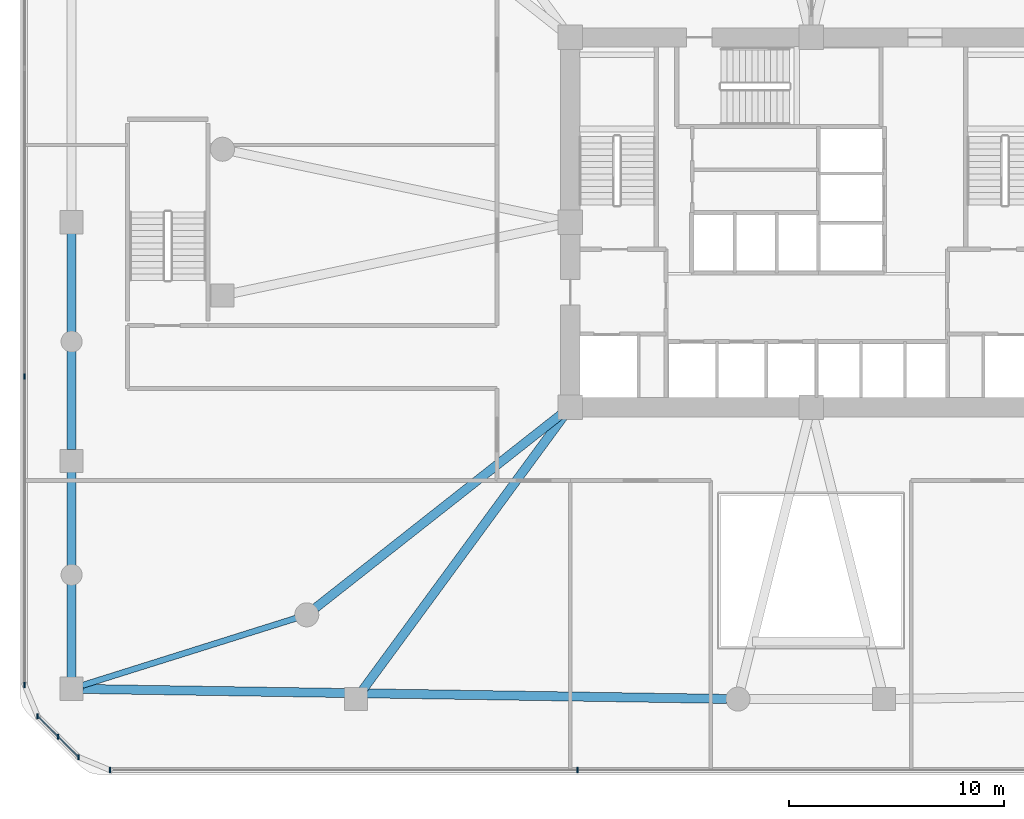
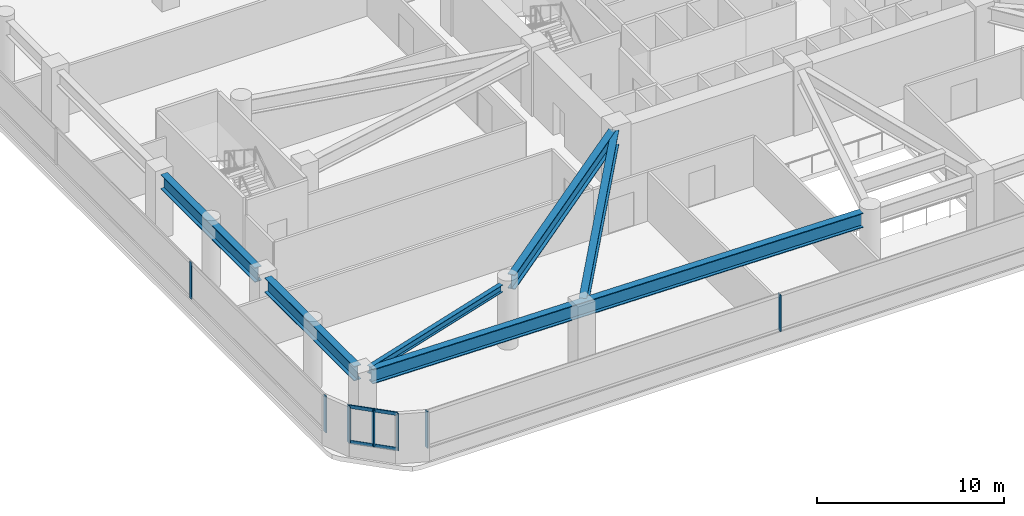
# One storey, part 2 of 21: 9 members, 6 beams, 3 elements without a shape of their own.
"""IFC4 building model written with IfcOpenShell, lengths in metres."""

from ifc_helpers import new_model, si_unit, derived_unit, direction, frame, origin, origin_2d, place, context, subcontext, project, spatial, rectangle, i_section, extrude, material, material_profile, profile_set, type_object, element, aggregate, save


model = new_model("IFC4")

# Units and contexts
model_context = context("Model", 3, precision=1e-05, world=origin(), true_north=direction((0.0, 1.0)))
body_context = subcontext(model_context, "Body", "Model", "MODEL_VIEW")
ifc_project = project(units=[si_unit("LENGTHUNIT", "METRE"), si_unit("AREAUNIT", "SQUARE_METRE"), si_unit("VOLUMEUNIT", "CUBIC_METRE"), si_unit("PLANEANGLEUNIT", "RADIAN"), si_unit("MASSUNIT", "GRAM", prefix="KILO"), derived_unit("THERMALTRANSMITTANCEUNIT", [(si_unit("POWERUNIT", "WATT"), 1), (si_unit("LENGTHUNIT", "METRE"), -2), (si_unit("THERMODYNAMICTEMPERATUREUNIT", "KELVIN"), -1)])], contexts=[model_context])

# Site, building, storey
site_placement = place(None, origin())
site = spatial("IfcSite", under=ifc_project, at=site_placement, CompositionType="ELEMENT")
building_placement = place(site_placement, origin())
building = spatial("IfcBuilding", under=site, at=building_placement, Name="Koralith Skygarden Medical Center", CompositionType="ELEMENT")
storey_placement = place(building_placement, frame((0.0, 0.0, 5.39990234375)))
storey = spatial("IfcBuildingStorey", under=building, at=storey_placement, Name="L01", CompositionType="ELEMENT", Elevation=5.39990234375)

# Curtain wall, members
ifc_material_1 = material(Name="Clear Laminated Glass", Category="glass")
curtain_wall_type = type_object("IfcCurtainWallType", Name="CW-1 Transit & Podium Acoustic Curtain Wall", PredefinedType="NOTDEFINED", material=ifc_material_1)
curtain_wall_1_placement = place(storey_placement, origin())
curtain_wall_1 = element("IfcCurtainWall", 1, at=curtain_wall_1_placement, inside=storey, type_object=curtain_wall_type, Name="Curtain Wall CW-L01-S", PredefinedType="NOTDEFINED")
ifc_material_2 = material(Name="Aluminium 6063-T6", Category="aluminium")
ifc_material_profile_1 = material_profile(ifc_material_2, rectangle(XDim=0.068115234375, YDim=0.239990234375, at=origin_2d()), Name="MUL68X240")
ifc_profile_set_1 = profile_set([ifc_material_profile_1], Name="Aluminium 6063-T6")
member_type_1 = type_object("IfcMemberType", Name="CW-1 Extruded Mullion 68x240", PredefinedType="MULLION", material=ifc_profile_set_1)
member_1_placement = place(storey_placement, frame((4.37890625, 0.419921875, 0.85009765625), z_axis=(0.0, 0.0, 1.0), x_axis=(1.0, 0.0, 0.0)))
member_1 = element("IfcMember", 2, at=member_1_placement, type_object=member_type_1, Name="CW-L01-S Mullion 1", PredefinedType="MULLION", context=body_context, shape_type="SweptSolid", body=[
    extrude(rectangle(XDim=0.068115234375, YDim=0.239990234375, at=origin_2d()), origin(), (0.0, 0.0, 1.0), 2.389892578125),
])
member_2_placement = place(storey_placement, frame((26.1259765625, 0.419921875, 0.85009765625), z_axis=(0.0, 0.0, 1.0), x_axis=(1.0, 0.0, 0.0)))
member_2 = element("IfcMember", 3, at=member_2_placement, type_object=member_type_1, Name="CW-L01-S Mullion 2", PredefinedType="MULLION", context=body_context, shape_type="SweptSolid", body=[
    extrude(rectangle(XDim=0.068115234375, YDim=0.239990234375, at=origin_2d()), origin(), (0.0, 0.0, 1.0), 2.389892578125),
])
aggregate(curtain_wall_1, [member_1, member_2])

curtain_wall_2_placement = place(storey_placement, origin())
curtain_wall_2 = element("IfcCurtainWall", 4, at=curtain_wall_2_placement, inside=storey, type_object=curtain_wall_type, Name="Curtain Wall CW-L01-W", PredefinedType="NOTDEFINED")
member_3_placement = place(storey_placement, frame((0.419921875, 18.72607421875, 0.85009765625), z_axis=(0.0, 0.0, 1.0), x_axis=(1.0, 0.0, 0.0)))
member_3 = element("IfcMember", 5, at=member_3_placement, type_object=member_type_1, Name="CW-L01-W Mullion 3", PredefinedType="MULLION", context=body_context, shape_type="SweptSolid", body=[
    extrude(rectangle(XDim=0.068115234375, YDim=0.239990234375, at=origin_2d()), origin(), (0.0, 0.0, 1.0), 2.389892578125),
])
member_4_placement = place(storey_placement, frame((0.419921875, 4.37890625, 0.85009765625), z_axis=(0.0, 0.0, 1.0), x_axis=(1.0, 0.0, 0.0)))
member_4 = element("IfcMember", 6, at=member_4_placement, type_object=member_type_1, Name="CW-L01-W Mullion 4", PredefinedType="MULLION", context=body_context, shape_type="SweptSolid", body=[
    extrude(rectangle(XDim=0.068115234375, YDim=0.239990234375, at=origin_2d()), origin(), (0.0, 0.0, 1.0), 2.389892578125),
])
aggregate(curtain_wall_2, [member_3, member_4])

curtain_wall_3_placement = place(storey_placement, origin())
curtain_wall_3 = element("IfcCurtainWall", 7, at=curtain_wall_3_placement, inside=storey, type_object=curtain_wall_type, Name="Curtain Wall CW-L01-SW", PredefinedType="NOTDEFINED")
member_5_placement = place(storey_placement, frame((1.02099609375, 2.927978515625, 0.85009765625), z_axis=(0.0, 0.0, 1.0), x_axis=(1.0, 0.0, 0.0)))
member_5 = element("IfcMember", 8, at=member_5_placement, type_object=member_type_1, Name="CW-L01-SW Mullion 1", PredefinedType="MULLION", context=body_context, shape_type="SweptSolid", body=[
    extrude(rectangle(XDim=0.068115234375, YDim=0.239990234375, at=origin_2d()), origin(), (0.0, 0.0, 1.0), 2.389892578125),
])
member_6_placement = place(storey_placement, frame((1.97412109375, 1.97412109375, 0.85009765625), z_axis=(0.0, 0.0, 1.0), x_axis=(1.0, 0.0, 0.0)))
member_6 = element("IfcMember", 9, at=member_6_placement, type_object=member_type_1, Name="CW-L01-SW Mullion 2", PredefinedType="MULLION", context=body_context, shape_type="SweptSolid", body=[
    extrude(rectangle(XDim=0.068115234375, YDim=0.239990234375, at=origin_2d()), origin(), (0.0, 0.0, 1.0), 2.389892578125),
])
member_7_placement = place(storey_placement, frame((2.927978515625, 1.02099609375, 0.85009765625), z_axis=(0.0, 0.0, 1.0), x_axis=(1.0, 0.0, 0.0)))
member_7 = element("IfcMember", 10, at=member_7_placement, type_object=member_type_1, Name="CW-L01-SW Mullion 3", PredefinedType="MULLION", context=body_context, shape_type="SweptSolid", body=[
    extrude(rectangle(XDim=0.068115234375, YDim=0.239990234375, at=origin_2d()), origin(), (0.0, 0.0, 1.0), 2.389892578125),
])
ifc_material_profile_2 = material_profile(ifc_material_2, rectangle(XDim=0.06298828125, YDim=0.216064453125, at=origin_2d()), Name="TRN63X216")
ifc_profile_set_2 = profile_set([ifc_material_profile_2], Name="Aluminium 6063-T6")
member_type_2 = type_object("IfcMemberType", Name="CW-1 Thermal Transom 63x216", PredefinedType="USERDEFINED", material=ifc_profile_set_2)
member_8_placement = place(storey_placement, frame((1.02099609375, 2.927978515625, 0.900146484375), z_axis=(0.707106781187, -0.707106781187, 0.0), x_axis=(0.707106781187, 0.707106781187, 0.0)))
member_8 = element("IfcMember", 11, at=member_8_placement, type_object=member_type_2, Name="CW-L01-SW Transom 1", ObjectType="TRANSOM", PredefinedType="USERDEFINED", context=body_context, shape_type="SweptSolid", body=[
    extrude(rectangle(XDim=0.06298828125, YDim=0.216064453125, at=origin_2d()), origin(), (0.0, 0.0, 1.0), 2.69677734375),
])
member_9_placement = place(storey_placement, frame((1.02099609375, 2.927978515625, 3.190185546875), z_axis=(0.707106781187, -0.707106781187, 0.0), x_axis=(0.707106781187, 0.707106781187, 0.0)))
member_9 = element("IfcMember", 12, at=member_9_placement, type_object=member_type_2, Name="CW-L01-SW Transom 2", ObjectType="TRANSOM", PredefinedType="USERDEFINED", context=body_context, shape_type="SweptSolid", body=[
    extrude(rectangle(XDim=0.06298828125, YDim=0.216064453125, at=origin_2d()), origin(), (0.0, 0.0, 1.0), 2.69677734375),
])
aggregate(curtain_wall_3, [member_5, member_6, member_7, member_8, member_9])

# Beams
ifc_material_3 = material(Name="Steel ASTM A992 Grade 50", Category="steel")
ifc_material_profile_3 = material_profile(ifc_material_3, i_section(OverallWidth=0.423095703125, OverallDepth=0.947998046875, WebThickness=0.02392578125, FlangeThickness=0.042724609375, at=origin_2d()), Name="W36X302")
ifc_profile_set_3 = profile_set([ifc_material_profile_3], Name="Steel ASTM A992 Grade 50")
beam_type_1 = type_object("IfcBeamType", Name="Podium Concourse Girder W36X302", PredefinedType="BEAM", material=ifc_profile_set_3)
beam_1_placement = place(storey_placement, frame((2.60009765625, 14.280029296875, 3.72607421875), z_axis=(0.0, -1.0, 0.0), x_axis=(1.0, 0.0, 0.0)))
element("IfcBeam", 13, at=beam_1_placement, inside=storey, type_object=beam_type_1, Name="L01 Podium Perimeter Beam PB-01", PredefinedType="BEAM", context=body_context, shape_type="SweptSolid", body=[
    extrude(i_section(OverallWidth=0.423095703125, OverallDepth=0.947998046875, WebThickness=0.02392578125, FlangeThickness=0.042724609375, at=origin_2d()), origin(), (0.0, 0.0, 1.0), 9.56005859375),
])
beam_2_placement = place(storey_placement, frame((3.1201171875, 4.19189453125, 3.72607421875), z_axis=(0.999880161393, -0.015481048165, 0.0), x_axis=(0.015481048165, 0.999880161393, 0.0)))
element("IfcBeam", 14, at=beam_2_placement, inside=storey, type_object=beam_type_1, Name="L01 Podium Perimeter Beam PB-02", PredefinedType="BEAM", context=body_context, shape_type="SweptSolid", body=[
    extrude(i_section(OverallWidth=0.423095703125, OverallDepth=0.947998046875, WebThickness=0.02392578125, FlangeThickness=0.042724609375, at=origin_2d()), origin(), (0.0, 0.0, 1.0), 29.963623046875),
])
beam_3_placement = place(storey_placement, frame((2.60009765625, 25.3798828125, 3.72607421875), z_axis=(0.0, -1.0, 0.0), x_axis=(1.0, 0.0, 0.0)))
element("IfcBeam", 15, at=beam_3_placement, inside=storey, type_object=beam_type_1, Name="L01 Podium Perimeter Beam PB-14", PredefinedType="BEAM", context=body_context, shape_type="SweptSolid", body=[
    extrude(i_section(OverallWidth=0.423095703125, OverallDepth=0.947998046875, WebThickness=0.02392578125, FlangeThickness=0.042724609375, at=origin_2d()), origin(), (0.0, 0.0, 1.0), 10.059814453125),
])
beam_4_placement = place(storey_placement, frame((25.360107421875, 16.952880859375, 3.72607421875), z_axis=(-0.785504791859, -0.618855574401, 0.0), x_axis=(0.618855574401, -0.785504791859, 0.0)))
element("IfcBeam", 16, at=beam_4_placement, inside=storey, type_object=beam_type_1, Name="L01 Podium Radial Girder PRG-02", PredefinedType="BEAM", context=body_context, shape_type="SweptSolid", body=[
    extrude(i_section(OverallWidth=0.423095703125, OverallDepth=0.947998046875, WebThickness=0.02392578125, FlangeThickness=0.042724609375, at=origin_2d()), origin(), (0.0, 0.0, 1.0), 14.5283203125),
])
beam_5_placement = place(storey_placement, frame((25.468994140625, 16.84912109375, 3.72607421875), z_axis=(-0.59170530555, -0.806154347122, 0.0), x_axis=(0.806154347122, -0.59170530555, 0.0)))
element("IfcBeam", 17, at=beam_5_placement, inside=storey, type_object=beam_type_1, Name="L01 Podium Radial Girder PRG-03", PredefinedType="BEAM", context=body_context, shape_type="SweptSolid", body=[
    extrude(i_section(OverallWidth=0.423095703125, OverallDepth=0.947998046875, WebThickness=0.02392578125, FlangeThickness=0.042724609375, at=origin_2d()), origin(), (0.0, 0.0, 1.0), 15.766357421875),
])
ifc_material_profile_4 = material_profile(ifc_material_3, i_section(OverallWidth=0.281982421875, OverallDepth=0.467041015625, WebThickness=0.01220703125, FlangeThickness=0.01953125, at=origin_2d()), Name="W18X86")
ifc_profile_set_4 = profile_set([ifc_material_profile_4], Name="Steel ASTM A992 Grade 50")
beam_type_2 = type_object("IfcBeamType", Name="Podium Floor Joist W18X86", PredefinedType="JOIST", material=ifc_profile_set_4)
beam_6_placement = place(storey_placement, frame((13.0439453125, 7.48388671875, 3.967041015625), z_axis=(-0.953954869198, -0.299950175084, 0.0), x_axis=(0.299950175084, -0.953954869198, 0.0)))
element("IfcBeam", 18, at=beam_6_placement, inside=storey, type_object=beam_type_2, Name="L01 Podium Floor Joist PJ-01", PredefinedType="JOIST", context=body_context, shape_type="SweptSolid", body=[
    extrude(i_section(OverallWidth=0.281982421875, OverallDepth=0.467041015625, WebThickness=0.01220703125, FlangeThickness=0.01953125, at=origin_2d()), origin(), (0.0, 0.0, 1.0), 10.42822265625),
])

save(model, "model.ifc")
